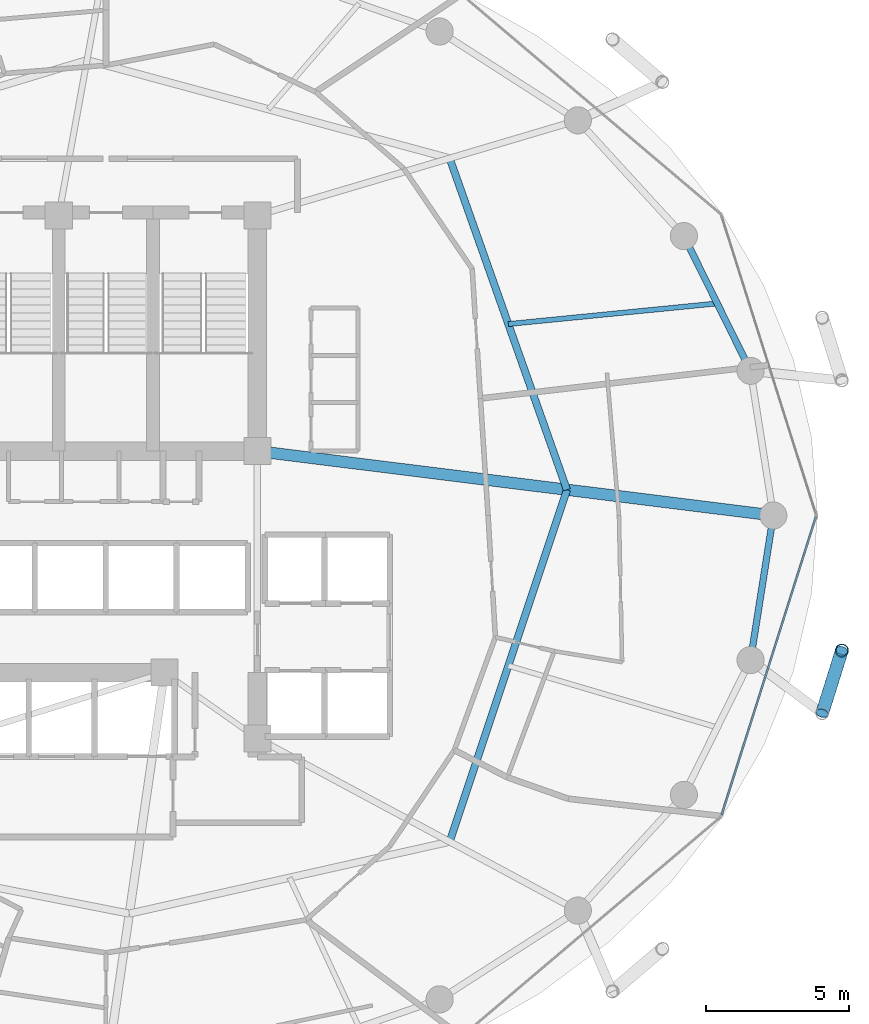
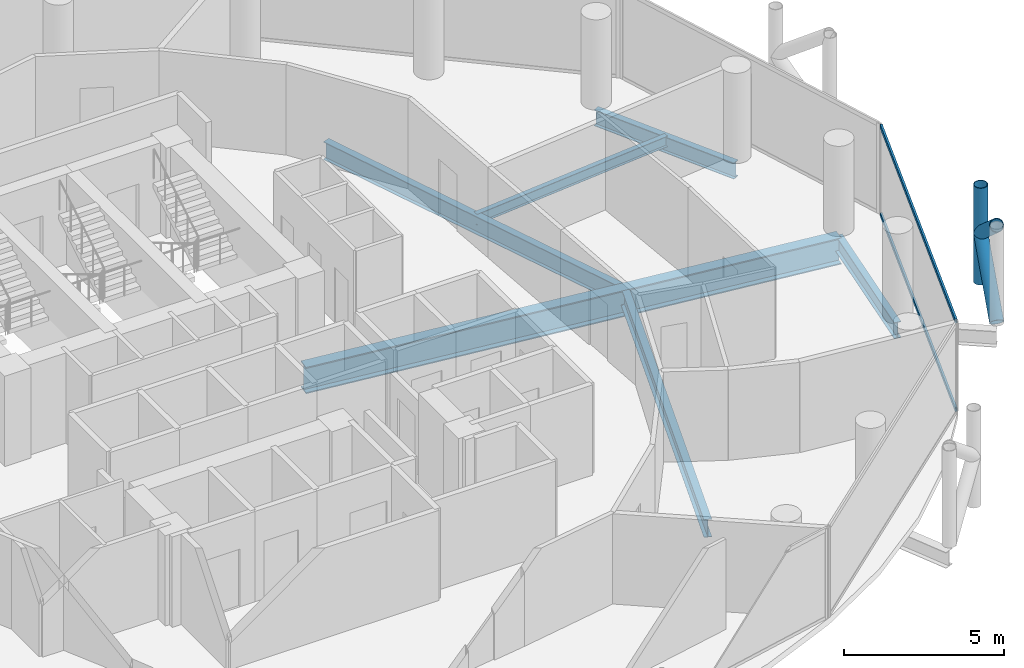
# One storey, part 11 of 26: 6 beams, 5 members, 1 element without a shape of its own.
"""IFC4 building model written with IfcOpenShell, lengths in metres."""

from ifc_helpers import new_model, si_unit, direction, frame, origin, origin_2d, place, context, subcontext, project, spatial, hollow_rectangle, hollow_circle, i_section, extrude, material, layer, layer_set, material_profile, profile_set, type_object, element, aggregate, save


model = new_model("IFC4")

# Units and contexts
model_context = context("Model", 3, precision=1e-05, world=origin(), true_north=direction((0.0, 1.0)))
body_context = subcontext(model_context, "Body", "Model", "MODEL_VIEW")
ifc_project = project(units=[si_unit("LENGTHUNIT", "METRE"), si_unit("AREAUNIT", "SQUARE_METRE"), si_unit("VOLUMEUNIT", "CUBIC_METRE"), si_unit("PLANEANGLEUNIT", "RADIAN"), si_unit("MASSUNIT", "GRAM", prefix="KILO")], contexts=[model_context])

# Site, building, storey
site_placement = place(None, origin())
site = spatial("IfcSite", under=ifc_project, at=site_placement, CompositionType="ELEMENT")
building_placement = place(site_placement, origin())
building = spatial("IfcBuilding", under=site, at=building_placement, Name="Nuhasar Tower", CompositionType="ELEMENT")
storey_placement = place(building_placement, frame((0.0, 0.0, 136.75)))
storey = spatial("IfcBuildingStorey", under=building, at=storey_placement, Name="L32", CompositionType="ELEMENT", Elevation=136.75)

# Beams
ifc_material_1 = material(Name="Steel S355", Category="steel")
ifc_material_profile_1 = material_profile(ifc_material_1, i_section(OverallWidth=0.25390625, OverallDepth=0.68408203125, WebThickness=0.012451171875, FlangeThickness=0.018798828125, at=origin_2d()), Name="W27X94")
ifc_profile_set_1 = profile_set([ifc_material_profile_1], Name="Steel S355")
beam_type_1 = type_object("IfcBeamType", Name="BM-INRING-W27X94", PredefinedType="BEAM", material=ifc_profile_set_1)
beam_1_placement = place(storey_placement, frame((51.027099609375, 15.385986328125, -0.592041015625), z_axis=(0.31609797573, 0.948726551615, 0.0), x_axis=(-0.948726551615, 0.31609797573, 0.0)))
element("IfcBeam", 1, at=beam_1_placement, inside=storey, type_object=beam_type_1, Name="L32 Inner Header Beam 03", PredefinedType="BEAM", context=body_context, shape_type="SweptSolid", body=[
    extrude(i_section(OverallWidth=0.25390625, OverallDepth=0.68408203125, WebThickness=0.012451171875, FlangeThickness=0.018798828125, at=origin_2d()), origin(), (0.0, 0.0, 1.0), 12.9794921875),
])
beam_2_placement = place(storey_placement, frame((55.1298828125, 27.699951171875, -0.592041015625), z_axis=(-0.333599821096, 0.942714781556, 0.0), x_axis=(-0.942714781556, -0.333599821096, 0.0)))
element("IfcBeam", 2, at=beam_2_placement, inside=storey, type_object=beam_type_1, Name="L32 Inner Header Beam 04", PredefinedType="BEAM", context=body_context, shape_type="SweptSolid", body=[
    extrude(i_section(OverallWidth=0.25390625, OverallDepth=0.68408203125, WebThickness=0.012451171875, FlangeThickness=0.018798828125, at=origin_2d()), origin(), (0.0, 0.0, 1.0), 12.298583984375),
])
ifc_material_profile_2 = material_profile(ifc_material_1, i_section(OverallWidth=0.177978515625, OverallDepth=0.406005859375, WebThickness=0.0078125, FlangeThickness=0.0126953125, at=origin_2d()), Name="W16X40")
ifc_profile_set_2 = profile_set([ifc_material_profile_2], Name="Steel S355")
beam_type_2 = type_object("IfcBeamType", Name="BM-JST-W16X40", PredefinedType="JOIST", material=ifc_profile_set_2)
beam_3_placement = place(storey_placement, frame((53.0791015625, 33.4970703125, -0.452880859375), z_axis=(0.995170244515, 0.098164068947, 0.0), x_axis=(-0.098164068947, 0.995170244515, 0.0)))
element("IfcBeam", 3, at=beam_3_placement, inside=storey, type_object=beam_type_2, Name="L32 Secondary Floor Joist 04", PredefinedType="JOIST", context=body_context, shape_type="SweptSolid", body=[
    extrude(i_section(OverallWidth=0.177978515625, OverallDepth=0.406005859375, WebThickness=0.0078125, FlangeThickness=0.0126953125, at=origin_2d()), origin(), (0.0, 0.0, 1.0), 7.34423828125),
])
ifc_material_profile_3 = material_profile(ifc_material_1, i_section(OverallWidth=0.22998046875, OverallDepth=0.616943359375, WebThickness=0.01318359375, FlangeThickness=0.022216796875, at=origin_2d()), Name="W24X94")
ifc_profile_set_3 = profile_set([ifc_material_profile_3], Name="Steel S355")
beam_type_3 = type_object("IfcBeamType", Name="BM-RING-W24X94", PredefinedType="SPANDREL", material=ifc_profile_set_3)
beam_4_placement = place(storey_placement, frame((61.553955078125, 31.860107421875, -0.55908203125), z_axis=(-0.443347771709, 0.896349682501, 0.0), x_axis=(-0.896349682501, -0.443347771709, 0.0)))
element("IfcBeam", 4, at=beam_4_placement, inside=storey, type_object=beam_type_3, Name="L32 Perimeter Ring Spandrel 02", PredefinedType="SPANDREL", context=body_context, shape_type="SweptSolid", body=[
    extrude(i_section(OverallWidth=0.22998046875, OverallDepth=0.616943359375, WebThickness=0.01318359375, FlangeThickness=0.022216796875, at=origin_2d()), origin(), (0.0, 0.0, 1.0), 5.260009765625),
])
beam_5_placement = place(storey_placement, frame((61.553955078125, 21.739990234375, -0.55908203125), z_axis=(0.155426543608, 0.987847452566, 0.0), x_axis=(-0.987847452566, 0.155426543608, 0.0)))
element("IfcBeam", 5, at=beam_5_placement, inside=storey, type_object=beam_type_3, Name="L32 Perimeter Ring Spandrel 24", PredefinedType="SPANDREL", context=body_context, shape_type="SweptSolid", body=[
    extrude(i_section(OverallWidth=0.22998046875, OverallDepth=0.616943359375, WebThickness=0.01318359375, FlangeThickness=0.022216796875, at=origin_2d()), origin(), (0.0, 0.0, 1.0), 5.122314453125),
])
ifc_material_2 = material(Name="Steel S460", Category="steel")
ifc_material_profile_4 = material_profile(ifc_material_2, i_section(OverallWidth=0.40087890625, OverallDepth=1.010009765625, WebThickness=0.023681640625, FlangeThickness=0.0419921875, at=origin_2d()), Name="W40X297")
ifc_profile_set_4 = profile_set([ifc_material_profile_4], Name="Steel S460")
beam_type_4 = type_object("IfcBeamType", Name="BM-XFER-W40X297", PredefinedType="USERDEFINED", material=ifc_profile_set_4)
beam_6_placement = place(storey_placement, frame((44.300048828125, 29.050048828125, -0.7548828125), z_axis=(0.992320149485, -0.123696082908, 0.0), x_axis=(0.123696082908, 0.992320149485, 0.0)))
element("IfcBeam", 6, at=beam_6_placement, inside=storey, type_object=beam_type_4, Name="L32 Radial Floor Girder 04", ObjectType="GIRDER", PredefinedType="USERDEFINED", context=body_context, shape_type="SweptSolid", body=[
    extrude(i_section(OverallWidth=0.40087890625, OverallDepth=1.010009765625, WebThickness=0.023681640625, FlangeThickness=0.0419921875, at=origin_2d()), origin(), (0.0, 0.0, 1.0), 18.189697265625),
])

# Curtain wall, members
ifc_material_3 = material(Name="Aluminium 6063-T6", Category="aluminium")
ifc_layer = layer(ifc_material_3, 0.199951171875)
ifc_layer_set = layer_set([ifc_layer], Name="Aluminium 6063-T6")
curtain_wall_type = type_object("IfcCurtainWallType", Name="CW-Z2-HTL", PredefinedType="NOTDEFINED", material=ifc_layer_set)
curtain_wall_placement = place(storey_placement, origin())
curtain_wall = element("IfcCurtainWall", 7, at=curtain_wall_placement, inside=storey, type_object=curtain_wall_type, Name="L32 Unitised Curtain Wall 12", PredefinedType="NOTDEFINED")
ifc_material_profile_5 = material_profile(ifc_material_3, hollow_rectangle(XDim=0.070068359375, YDim=0.159912109375, WallThickness=0.00439453125, at=origin_2d()), Name="CWT-3")
ifc_profile_set_5 = profile_set([ifc_material_profile_5], Name="Aluminium 6063-T6")
member_type_1 = type_object("IfcMemberType", Name="CW-TRN-S3", PredefinedType="USERDEFINED", material=ifc_profile_set_5)
member_1_placement = place(storey_placement, frame((60.550048828125, 16.336669921875, 0.034912109375), z_axis=(0.301608163352, 0.953431967053, 0.0), x_axis=(-0.953431967053, 0.301608163352, 0.0)))
member_1 = element("IfcMember", 8, at=member_1_placement, type_object=member_type_1, Name="CW-Z2 transom 1.1", ObjectType="TRANSOM", PredefinedType="USERDEFINED", context=body_context, shape_type="SweptSolid", body=[
    extrude(hollow_rectangle(XDim=0.070068359375, YDim=0.159912109375, WallThickness=0.00439453125, at=origin_2d()), origin(), (0.0, 0.0, 1.0), 10.904296875),
])
member_2_placement = place(storey_placement, frame((60.550048828125, 16.336669921875, 3.4150390625), z_axis=(0.301608163352, 0.953431967053, 0.0), x_axis=(-0.953431967053, 0.301608163352, 0.0)))
member_2 = element("IfcMember", 9, at=member_2_placement, type_object=member_type_1, Name="CW-Z2 transom 1.2", ObjectType="TRANSOM", PredefinedType="USERDEFINED", context=body_context, shape_type="SweptSolid", body=[
    extrude(hollow_rectangle(XDim=0.070068359375, YDim=0.159912109375, WallThickness=0.00439453125, at=origin_2d()), origin(), (0.0, 0.0, 1.0), 10.904296875),
])
aggregate(curtain_wall, [member_1, member_2])

# Members
ifc_material_profile_6 = material_profile(ifc_material_2, hollow_circle(Radius=0.228515625, WallThickness=0.022216796875, at=origin_2d()), Name="HSS457X22.2")
ifc_profile_set_6 = profile_set([ifc_material_profile_6], Name="Steel S460")
member_type_2 = type_object("IfcMemberType", Name="EXO-BRONZE-457", PredefinedType="BRACE", material=ifc_profile_set_6)
member_3_placement = place(storey_placement, frame((64.748046875, 22.073974609375, 0.0), z_axis=(0.0, 0.0, 1.0), x_axis=(1.0, 0.0, 0.0)))
element("IfcMember", 10, at=member_3_placement, inside=storey, type_object=member_type_2, Name="L32 Exoskeleton Chord Column EC-12B", PredefinedType="BRACE", context=body_context, shape_type="SweptSolid", body=[
    extrude(hollow_circle(Radius=0.228515625, WallThickness=0.022216796875, at=origin_2d()), origin(), (0.0, 0.0, 1.0), 3.699951171875),
])
member_4_placement = place(storey_placement, frame((64.06005859375, 19.87890625, 0.0), z_axis=(0.233055548538, 0.743577869731, 0.626719285599), x_axis=(-0.954228474306, 0.29907861646, 0.0)))
element("IfcMember", 11, at=member_4_placement, inside=storey, type_object=member_type_2, Name="L32 Bronze Diagrid Brace W1-12", PredefinedType="BRACE", context=body_context, shape_type="SweptSolid", body=[
    extrude(hollow_circle(Radius=0.228515625, WallThickness=0.022216796875, at=origin_2d()), origin(), (0.0, 0.0, 1.0), 2.9521484375),
])
member_5_placement = place(storey_placement, frame((64.748046875, 22.073974609375, 1.85009765625), z_axis=(-0.233067628236, -0.74361641074, 0.626669062861), x_axis=(0.954228474306, -0.29907861646, 0.0)))
element("IfcMember", 12, at=member_5_placement, inside=storey, type_object=member_type_2, Name="L32 Bronze Diagrid Brace W2-12", PredefinedType="BRACE", context=body_context, shape_type="SweptSolid", body=[
    extrude(hollow_circle(Radius=0.228515625, WallThickness=0.022216796875, at=origin_2d()), origin(), (0.0, 0.0, 1.0), 2.951904296875),
])

save(model, "model.ifc")
